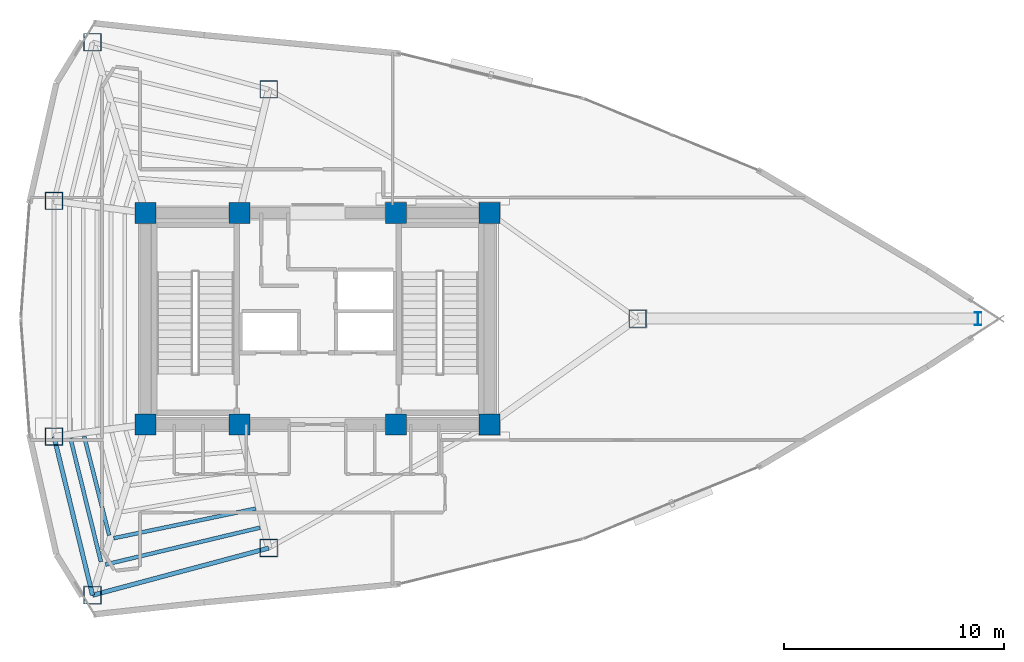
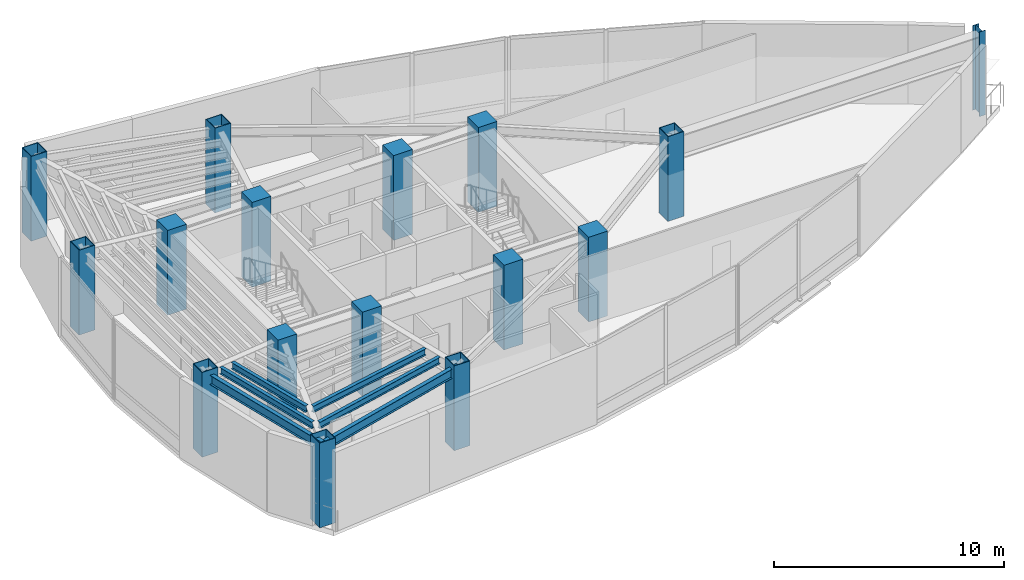
# One storey, part 1 of 17: 16 columns, 6 beams.
"""IFC4 building model written with IfcOpenShell, lengths in metres."""

from ifc_helpers import new_model, si_unit, direction, frame, origin, origin_2d, place, context, subcontext, project, spatial, rectangle, hollow_rectangle, i_section, extrude, material, material_profile, profile_set, type_object, element, save


model = new_model("IFC4")

# Units and contexts
model_context = context("Model", 3, precision=1e-05, world=origin(), true_north=direction((0.0, 1.0)))
body_context = subcontext(model_context, "Body", "Model", "MODEL_VIEW")
ifc_project = project(units=[si_unit("LENGTHUNIT", "METRE"), si_unit("AREAUNIT", "SQUARE_METRE"), si_unit("VOLUMEUNIT", "CUBIC_METRE"), si_unit("PLANEANGLEUNIT", "RADIAN"), si_unit("MASSUNIT", "GRAM", prefix="KILO")], contexts=[model_context])

# Site, building, storey
site_placement = place(None, origin())
site = spatial("IfcSite", under=ifc_project, at=site_placement, CompositionType="ELEMENT")
building_placement = place(site_placement, origin())
building = spatial("IfcBuilding", under=site, at=building_placement, Name="Menara Vayukalpa", CompositionType="ELEMENT")
storey_placement = place(building_placement, frame((0.0, 0.0, 238.139892578125)))
storey = spatial("IfcBuildingStorey", under=building, at=storey_placement, Name="L60", CompositionType="ELEMENT", Elevation=238.139892578125)

# Columns
ifc_material_1 = material(Name="Concrete C60/75", Category="concrete")
ifc_material_profile_1 = material_profile(ifc_material_1, rectangle(XDim=0.949951171875, YDim=0.949951171875, at=origin_2d()), Name="RC 950x950")
ifc_profile_set_1 = profile_set([ifc_material_profile_1], Name="Concrete C60/75")
column_type_1 = type_object("IfcColumnType", Name="COL-CC2", PredefinedType="COLUMN", material=ifc_profile_set_1)
for number, where, z_axis, x_axis, name in (
    (1, (17.800048828125, 17.199951171875, 0.0), (0.0, 0.0, 1.0), (1.0, 0.0, 0.0), "L60 Core Pilaster Column CC1"),
    (2, (22.050048828125, 17.199951171875, 0.0), (0.0, 0.0, 1.0), (1.0, 0.0, 0.0), "L60 Core Pilaster Column CC2"),
    (3, (29.14990234375, 17.199951171875, 0.0), (0.0, 0.0, 1.0), (1.0, 0.0, 0.0), "L60 Core Pilaster Column CC3"),
    (4, (33.39990234375, 17.199951171875, 0.0), (0.0, 0.0, 1.0), (1.0, 0.0, 0.0), "L60 Core Pilaster Column CC4"),
    (5, (17.800048828125, 26.800048828125, 0.0), (0.0, 0.0, 1.0), (1.0, 0.0, 0.0), "L60 Core Pilaster Column CC5"),
    (6, (22.050048828125, 26.800048828125, 0.0), (0.0, 0.0, 1.0), (1.0, 0.0, 0.0), "L60 Core Pilaster Column CC6"),
    (7, (29.14990234375, 26.800048828125, 0.0), (0.0, 0.0, 1.0), (1.0, 0.0, 0.0), "L60 Core Pilaster Column CC7"),
    (8, (33.39990234375, 26.800048828125, 0.0), (0.0, 0.0, 1.0), (1.0, 0.0, 0.0), "L60 Core Pilaster Column CC8"),
):
    element("IfcColumn", number, at=place(storey_placement, frame(where, z_axis=z_axis, x_axis=x_axis)), inside=storey, type_object=column_type_1, Name=name, PredefinedType="COLUMN", context=body_context, shape_type="SweptSolid", body=[
        extrude(rectangle(XDim=0.949951171875, YDim=0.949951171875, at=origin_2d()), origin(), (0.0, 0.0, 1.0), 4.5),
    ])
ifc_material_2 = material(Name="Steel S355", Category="steel")
ifc_material_profile_2 = material_profile(ifc_material_2, hollow_rectangle(XDim=0.800048828125, YDim=0.800048828125, WallThickness=0.034912109375, at=origin_2d()), Name="BOX 800x800x35")
ifc_profile_set_2 = profile_set([ifc_material_profile_2], Name="Steel S355")
column_type_2 = type_object("IfcColumnType", Name="COL-MC5", PredefinedType="COLUMN", material=ifc_profile_set_2)
for number, where, z_axis, x_axis, name in (
    (9, (40.121826171875, 22.0, 0.0), (0.0, 0.0, 1.0), (1.0, 0.0, 0.0), "L60 Perimeter Mega Column P01"),
    (10, (23.3818359375, 32.40478515625, 0.0), (0.0, 0.0, 1.0), (1.0, 0.0, 0.0), "L60 Perimeter Mega Column P03"),
    (11, (15.38916015625, 34.544677734375, 0.0), (0.0, 0.0, 1.0), (1.0, 0.0, 0.0), "L60 Perimeter Mega Column P04"),
    (12, (13.638916015625, 27.3466796875, 0.0), (0.0, 0.0, 1.0), (1.0, 0.0, 0.0), "L60 Perimeter Mega Column P05"),
    (13, (13.638916015625, 16.6533203125, 0.0), (0.0, 0.0, 1.0), (1.0, 0.0, 0.0), "L60 Perimeter Mega Column P06"),
    (14, (15.38916015625, 9.455322265625, 0.0), (0.0, 0.0, 1.0), (1.0, 0.0, 0.0), "L60 Perimeter Mega Column P07"),
    (15, (23.3818359375, 11.59521484375, 0.0), (0.0, 0.0, 1.0), (1.0, 0.0, 0.0), "L60 Perimeter Mega Column P08"),
):
    element("IfcColumn", number, at=place(storey_placement, frame(where, z_axis=z_axis, x_axis=x_axis)), inside=storey, type_object=column_type_2, Name=name, PredefinedType="COLUMN", context=body_context, shape_type="SweptSolid", body=[
        extrude(hollow_rectangle(XDim=0.800048828125, YDim=0.800048828125, WallThickness=0.034912109375, at=origin_2d()), origin(), (0.0, 0.0, 1.0), 4.5),
    ])
ifc_material_3 = material(Name="Steel S460", Category="steel")
ifc_material_profile_3 = material_profile(ifc_material_3, i_section(OverallWidth=0.300048828125, OverallDepth=0.587890625, WebThickness=0.011962890625, FlangeThickness=0.02001953125, at=origin_2d()), Name="H 588x300x12x20")
ifc_profile_set_3 = profile_set([ifc_material_profile_3], Name="Steel S460")
column_type_3 = type_object("IfcColumnType", Name="COL-SC1", PredefinedType="COLUMN", material=ifc_profile_set_3)
column_placement = place(storey_placement, frame((55.564697265625, 22.0, 0.0), z_axis=(0.0, 0.0, 1.0), x_axis=(1.0, 0.0, 0.0)))
element("IfcColumn", 16, at=column_placement, inside=storey, type_object=column_type_3, Name="L60 SB5 Sky Bar Vierendeel Column SB01", PredefinedType="COLUMN", context=body_context, shape_type="SweptSolid", body=[
    extrude(i_section(OverallWidth=0.300048828125, OverallDepth=0.587890625, WebThickness=0.011962890625, FlangeThickness=0.02001953125, at=origin_2d()), origin(), (0.0, 0.0, 1.0), 4.5),
])

# Beams
ifc_material_4 = material(Name="Steel S355", Category="steel")
ifc_material_profile_4 = material_profile(ifc_material_4, i_section(OverallWidth=0.175048828125, OverallDepth=0.35009765625, WebThickness=0.007080078125, FlangeThickness=0.010986328125, at=origin_2d()), Name="WF 350x175x7x11")
ifc_profile_set_4 = profile_set([ifc_material_profile_4], Name="Steel S355")
beam_type_1 = type_object("IfcBeamType", Name="BM-SJ3", PredefinedType="JOIST", material=ifc_profile_set_4)
beam_1_placement = place(storey_placement, frame((15.010986328125, 16.6630859375, 4.045166015625), z_axis=(0.244247063973, -0.969713035769, 0.0), x_axis=(0.969713035769, 0.244247063973, 0.0)))
element("IfcBeam", 17, at=beam_1_placement, inside=storey, type_object=beam_type_1, Name="L60 Secondary Floor Joist SJ06-4", PredefinedType="JOIST", context=body_context, shape_type="SweptSolid", body=[
    extrude(i_section(OverallWidth=0.175048828125, OverallDepth=0.35009765625, WebThickness=0.007080078125, FlangeThickness=0.010986328125, at=origin_2d()), origin(), (0.0, 0.0, 1.0), 4.630859375),
])
beam_2_placement = place(storey_placement, frame((14.384033203125, 16.580810546875, 4.045166015625), z_axis=(0.239671161383, -0.970854126222, 0.0), x_axis=(0.970854126222, 0.239671161383, 0.0)))
element("IfcBeam", 18, at=beam_2_placement, inside=storey, type_object=beam_type_1, Name="L60 Secondary Floor Joist SJ06-5", PredefinedType="JOIST", context=body_context, shape_type="SweptSolid", body=[
    extrude(i_section(OverallWidth=0.175048828125, OverallDepth=0.35009765625, WebThickness=0.007080078125, FlangeThickness=0.010986328125, at=origin_2d()), origin(), (0.0, 0.0, 1.0), 5.77783203125),
])
beam_3_placement = place(storey_placement, frame((16.35009765625, 12.0419921875, 4.045166015625), z_axis=(0.978941451827, 0.204141210671, 0.0), x_axis=(-0.204141210671, 0.978941451827, 0.0)))
element("IfcBeam", 19, at=beam_3_placement, inside=storey, type_object=beam_type_1, Name="L60 Secondary Floor Joist SJ07-4", PredefinedType="JOIST", context=body_context, shape_type="SweptSolid", body=[
    extrude(i_section(OverallWidth=0.175048828125, OverallDepth=0.35009765625, WebThickness=0.007080078125, FlangeThickness=0.010986328125, at=origin_2d()), origin(), (0.0, 0.0, 1.0), 6.570556640625),
])
beam_4_placement = place(storey_placement, frame((15.97509765625, 10.845947265625, 4.045166015625), z_axis=(0.972642465748, 0.232307197097, 0.0), x_axis=(-0.232307197097, 0.972642465748, 0.0)))
element("IfcBeam", 20, at=beam_4_placement, inside=storey, type_object=beam_type_1, Name="L60 Secondary Floor Joist SJ07-5", PredefinedType="JOIST", context=body_context, shape_type="SweptSolid", body=[
    extrude(i_section(OverallWidth=0.175048828125, OverallDepth=0.35009765625, WebThickness=0.007080078125, FlangeThickness=0.010986328125, at=origin_2d()), origin(), (0.0, 0.0, 1.0), 7.20947265625),
])
ifc_material_5 = material(Name="Steel S355", Category="steel")
ifc_material_profile_5 = material_profile(ifc_material_5, i_section(OverallWidth=0.199951171875, OverallDepth=0.5, WebThickness=0.010009765625, FlangeThickness=0.01611328125, at=origin_2d()), Name="WF 500x200x10x16")
ifc_profile_set_5 = profile_set([ifc_material_profile_5], Name="Steel S355")
beam_type_2 = type_object("IfcBeamType", Name="BM-SP3", PredefinedType="SPANDREL", material=ifc_profile_set_5)
beam_5_placement = place(storey_placement, frame((13.638916015625, 16.6533203125, 3.97021484375), z_axis=(0.236272525754, -0.97168682896, 0.0), x_axis=(0.97168682896, 0.236272525754, 0.0)))
element("IfcBeam", 21, at=beam_5_placement, inside=storey, type_object=beam_type_2, Name="L60 Perimeter Spandrel Beam SP06", PredefinedType="SPANDREL", context=body_context, shape_type="SweptSolid", body=[
    extrude(i_section(OverallWidth=0.199951171875, OverallDepth=0.5, WebThickness=0.010009765625, FlangeThickness=0.01611328125, at=origin_2d()), origin(), (0.0, 0.0, 1.0), 7.40771484375),
])
beam_6_placement = place(storey_placement, frame((15.38916015625, 9.455322265625, 3.97021484375), z_axis=(0.965978332552, 0.258623009494, 0.0), x_axis=(-0.258623009494, 0.965978332552, 0.0)))
element("IfcBeam", 22, at=beam_6_placement, inside=storey, type_object=beam_type_2, Name="L60 Perimeter Spandrel Beam SP07", PredefinedType="SPANDREL", context=body_context, shape_type="SweptSolid", body=[
    extrude(i_section(OverallWidth=0.199951171875, OverallDepth=0.5, WebThickness=0.010009765625, FlangeThickness=0.01611328125, at=origin_2d()), origin(), (0.0, 0.0, 1.0), 8.274169921875),
])

save(model, "model.ifc")
